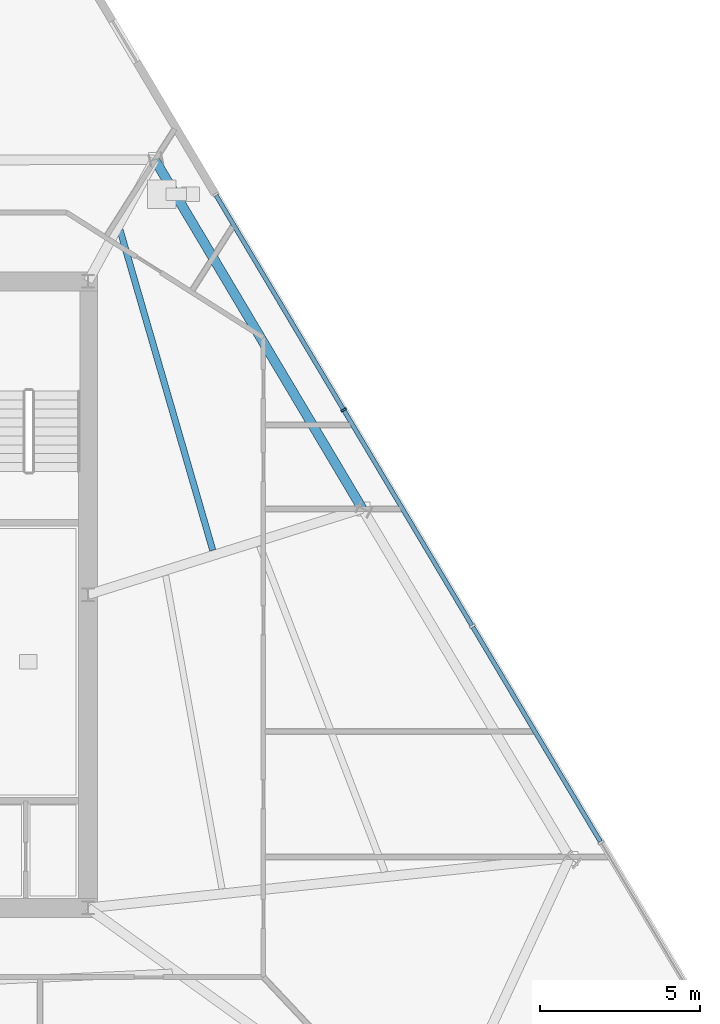
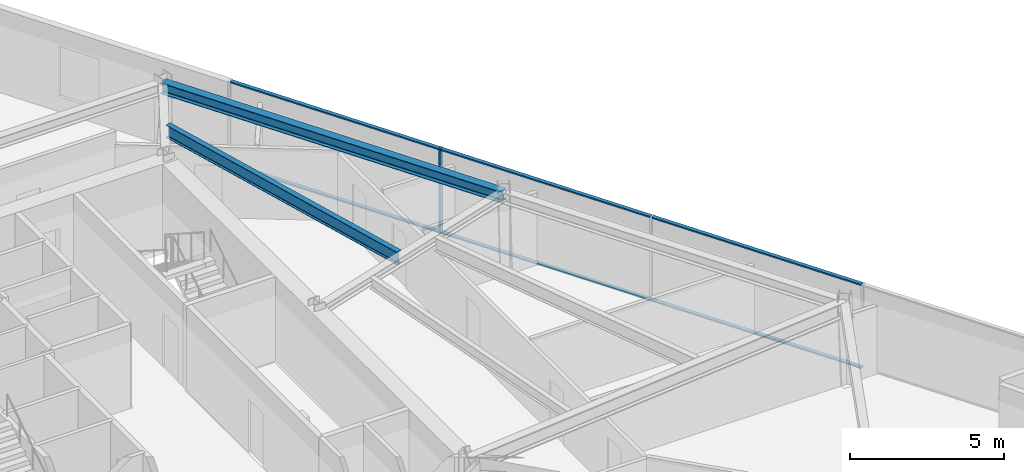
# One storey, part 5 of 15: 7 members, 2 beams, 1 element without a shape of its own.
"""IFC4 building model written with IfcOpenShell, lengths in metres."""

from ifc_helpers import new_model, si_unit, direction, frame, origin, origin_2d, place, context, subcontext, project, spatial, rectangle, i_section, extrude, material, material_profile, profile_set, type_object, element, aggregate, save


model = new_model("IFC4")

# Units and contexts
model_context = context("Model", 3, precision=1e-05, world=origin(), true_north=direction((0.0, 1.0)))
body_context = subcontext(model_context, "Body", "Model", "MODEL_VIEW")
ifc_project = project(units=[si_unit("LENGTHUNIT", "METRE"), si_unit("AREAUNIT", "SQUARE_METRE"), si_unit("VOLUMEUNIT", "CUBIC_METRE"), si_unit("PLANEANGLEUNIT", "RADIAN"), si_unit("MASSUNIT", "GRAM", prefix="KILO")], contexts=[model_context])

# Site, building, storey
site_placement = place(None, origin())
site = spatial("IfcSite", under=ifc_project, at=site_placement, CompositionType="ELEMENT")
building_placement = place(site_placement, origin())
building = spatial("IfcBuilding", under=site, at=building_placement, Name="Savorim Split Tower", CompositionType="ELEMENT")
storey_placement = place(building_placement, frame((0.0, 0.0, 118.5)))
storey = spatial("IfcBuildingStorey", under=building, at=storey_placement, Name="L31", CompositionType="ELEMENT", Elevation=118.5)

# Beams
ifc_material_1 = material(Name="Steel S355", Category="steel")
ifc_material_profile_1 = material_profile(ifc_material_1, i_section(OverallWidth=0.199951171875, OverallDepth=0.5, WebThickness=0.01025390625, FlangeThickness=0.01611328125, FilletRadius=0.02099609375, at=origin_2d()), Name="IPE 500")
ifc_profile_set_1 = profile_set([ifc_material_profile_1], Name="Steel S355")
beam_type_1 = type_object("IfcBeamType", Name="BM-JST-IPE500", PredefinedType="JOIST", material=ifc_profile_set_1)
beam_1_placement = place(storey_placement, frame((11.601318359375, 1.793701171875, 3.10009765625), z_axis=(-0.278093357868, 0.960554050697, 0.0), x_axis=(-0.960554050697, -0.278093357868, 0.0)))
element("IfcBeam", 1, at=beam_1_placement, inside=storey, type_object=beam_type_1, Name="L31 Secondary Floor Joist JS-07", PredefinedType="JOIST", context=body_context, shape_type="SweptSolid", body=[
    extrude(i_section(OverallWidth=0.199951171875, OverallDepth=0.5, WebThickness=0.01025390625, FlangeThickness=0.01611328125, FilletRadius=0.02099609375, at=origin_2d()), origin(), (0.0, 0.0, 1.0), 10.417236328125),
])
ifc_material_profile_2 = material_profile(ifc_material_1, i_section(OverallWidth=0.300048828125, OverallDepth=0.43994140625, WebThickness=0.011474609375, FlangeThickness=0.02099609375, FilletRadius=0.027099609375, at=origin_2d()), Name="HEA 450")
ifc_profile_set_2 = profile_set([ifc_material_profile_2], Name="Steel S355")
beam_type_2 = type_object("IfcBeamType", Name="BM-SPN-HEA450", PredefinedType="SPANDREL", material=ifc_profile_set_2)
beam_2_placement = place(storey_placement, frame((16.27783203125, 3.095703125, 3.1298828125), z_axis=(-0.511093816699, 0.859524933048, 0.0), x_axis=(-0.859524933048, -0.511093816699, 0.0)))
element("IfcBeam", 2, at=beam_2_placement, inside=storey, type_object=beam_type_2, Name="L31 Perimeter Spandrel Beam 6", PredefinedType="SPANDREL", context=body_context, shape_type="SweptSolid", body=[
    extrude(i_section(OverallWidth=0.300048828125, OverallDepth=0.43994140625, WebThickness=0.011474609375, FlangeThickness=0.02099609375, FilletRadius=0.027099609375, at=origin_2d()), origin(), (0.0, 0.0, 1.0), 12.70068359375),
])

# Curtain wall, members
ifc_material_2 = material(Name="Dark Ceramic-Fritted Insulated Glass", Category="glass")
curtain_wall_type = type_object("IfcCurtainWallType", Name="CW-TWR-FRIT-A", PredefinedType="NOTDEFINED", material=ifc_material_2)
curtain_wall_placement = place(storey_placement, origin())
curtain_wall = element("IfcCurtainWall", 3, at=curtain_wall_placement, inside=storey, type_object=curtain_wall_type, Name="L31 Curtain Wall CW-L31-EAST", PredefinedType="NOTDEFINED")
ifc_material_3 = material(Name="Charcoal Anodised Aluminium", Category="aluminium")
ifc_material_profile_3 = material_profile(ifc_material_3, rectangle(XDim=0.179931640625, YDim=0.06494140625, at=origin_2d()), Name="ALU-M 180x65")
ifc_profile_set_3 = profile_set([ifc_material_profile_3], Name="Charcoal Anodised Aluminium")
member_type_1 = type_object("IfcMemberType", Name="CWM-180x65", PredefinedType="MULLION", material=ifc_profile_set_3)
member_1_placement = place(storey_placement, frame((15.6982421875, 6.1806640625, 0.0), z_axis=(0.0, 0.0, 1.0), x_axis=(-0.859525409745, -0.51109301502, 0.0)))
member_1 = element("IfcMember", 4, at=member_1_placement, type_object=member_type_1, Name="CW-02 mullion 4", PredefinedType="MULLION", context=body_context, shape_type="SweptSolid", body=[
    extrude(rectangle(XDim=0.179931640625, YDim=0.06494140625, at=origin_2d()), origin(), (0.0, 0.0, 1.0), 3.35009765625),
])
ifc_material_profile_4 = material_profile(ifc_material_3, rectangle(XDim=0.139892578125, YDim=0.054931640625, at=origin_2d()), Name="ALU-T 140x55")
ifc_profile_set_4 = profile_set([ifc_material_profile_4], Name="Charcoal Anodised Aluminium")
member_type_2 = type_object("IfcMemberType", Name="CWT-140x55", PredefinedType="USERDEFINED", material=ifc_profile_set_4)
member_2_placement = place(storey_placement, frame((23.7314453125, -7.328857421875, 0.027587890625), z_axis=(-0.511099111731, 0.859521784475, 0.0), x_axis=(-0.859521784475, -0.511099111731, 0.0)))
member_2 = element("IfcMember", 5, at=member_2_placement, type_object=member_type_2, Name="CW-02 transom 2.1", ObjectType="TRANSOM", PredefinedType="USERDEFINED", context=body_context, shape_type="SweptSolid", body=[
    extrude(rectangle(XDim=0.139892578125, YDim=0.054931640625, at=origin_2d()), origin(), (0.0, 0.0, 1.0), 7.81005859375),
])
member_3_placement = place(storey_placement, frame((23.7314453125, -7.328857421875, 3.322509765625), z_axis=(-0.511099111731, 0.859521784475, 0.0), x_axis=(-0.859521784475, -0.511099111731, 0.0)))
member_3 = element("IfcMember", 6, at=member_3_placement, type_object=member_type_2, Name="CW-02 transom 2.2", ObjectType="TRANSOM", PredefinedType="USERDEFINED", context=body_context, shape_type="SweptSolid", body=[
    extrude(rectangle(XDim=0.139892578125, YDim=0.054931640625, at=origin_2d()), origin(), (0.0, 0.0, 1.0), 7.81005859375),
])
member_4_placement = place(storey_placement, frame((19.70654296875, -0.56005859375, 0.027587890625), z_axis=(-0.511099111731, 0.859521784475, 0.0), x_axis=(-0.859521784475, -0.511099111731, 0.0)))
member_4 = element("IfcMember", 7, at=member_4_placement, type_object=member_type_2, Name="CW-02 transom 3.1", ObjectType="TRANSOM", PredefinedType="USERDEFINED", context=body_context, shape_type="SweptSolid", body=[
    extrude(rectangle(XDim=0.139892578125, YDim=0.054931640625, at=origin_2d()), origin(), (0.0, 0.0, 1.0), 7.81005859375),
])
member_5_placement = place(storey_placement, frame((19.70654296875, -0.56005859375, 3.322509765625), z_axis=(-0.511099111731, 0.859521784475, 0.0), x_axis=(-0.859521784475, -0.511099111731, 0.0)))
member_5 = element("IfcMember", 8, at=member_5_placement, type_object=member_type_2, Name="CW-02 transom 3.2", ObjectType="TRANSOM", PredefinedType="USERDEFINED", context=body_context, shape_type="SweptSolid", body=[
    extrude(rectangle(XDim=0.139892578125, YDim=0.054931640625, at=origin_2d()), origin(), (0.0, 0.0, 1.0), 7.81005859375),
])
member_6_placement = place(storey_placement, frame((15.681640625, 6.208740234375, 0.027587890625), z_axis=(-0.511084795046, 0.859530297472, 0.0), x_axis=(-0.859530297472, -0.511084795046, 0.0)))
member_6 = element("IfcMember", 9, at=member_6_placement, type_object=member_type_2, Name="CW-02 transom 4.1", ObjectType="TRANSOM", PredefinedType="USERDEFINED", context=body_context, shape_type="SweptSolid", body=[
    extrude(rectangle(XDim=0.139892578125, YDim=0.054931640625, at=origin_2d()), origin(), (0.0, 0.0, 1.0), 7.77734375),
])
member_7_placement = place(storey_placement, frame((15.681640625, 6.208740234375, 3.322509765625), z_axis=(-0.511084795046, 0.859530297472, 0.0), x_axis=(-0.859530297472, -0.511084795046, 0.0)))
member_7 = element("IfcMember", 10, at=member_7_placement, type_object=member_type_2, Name="CW-02 transom 4.2", ObjectType="TRANSOM", PredefinedType="USERDEFINED", context=body_context, shape_type="SweptSolid", body=[
    extrude(rectangle(XDim=0.139892578125, YDim=0.054931640625, at=origin_2d()), origin(), (0.0, 0.0, 1.0), 7.77734375),
])
aggregate(curtain_wall, [member_1, member_2, member_3, member_4, member_5, member_6, member_7])

save(model, "model.ifc")
